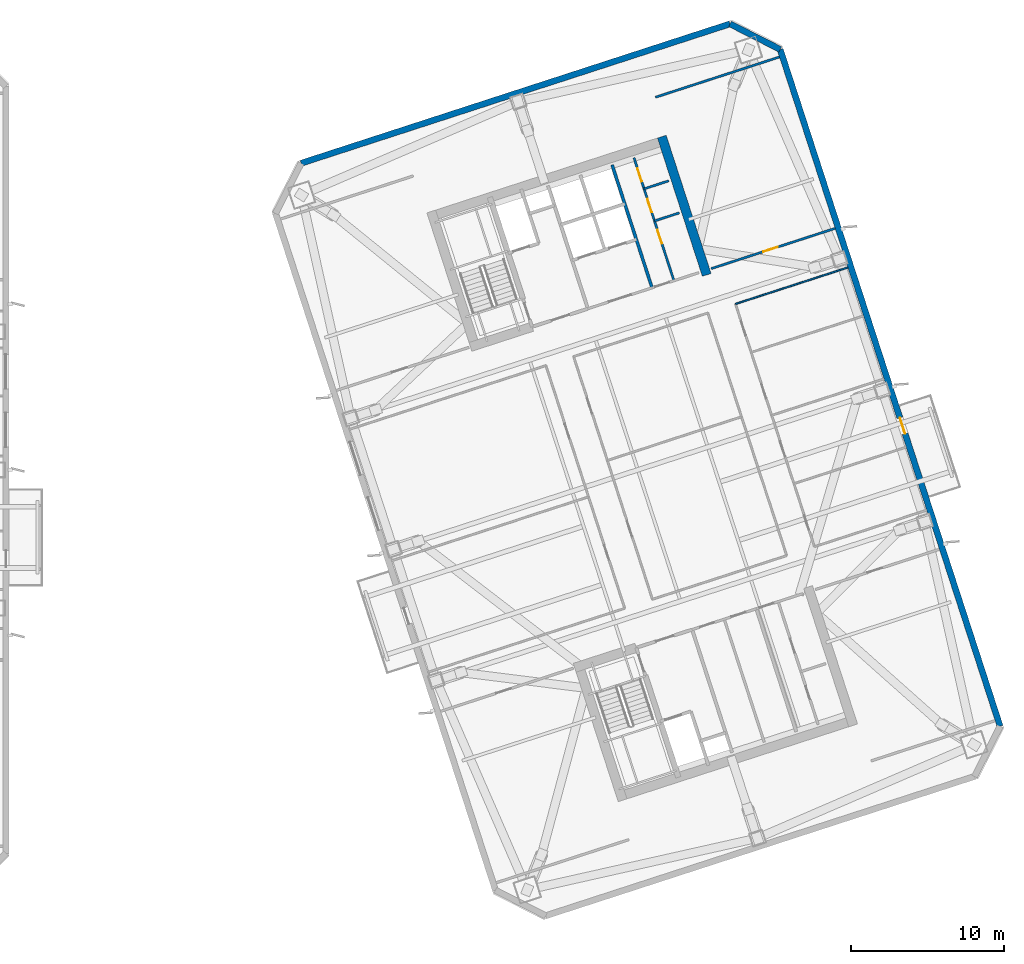
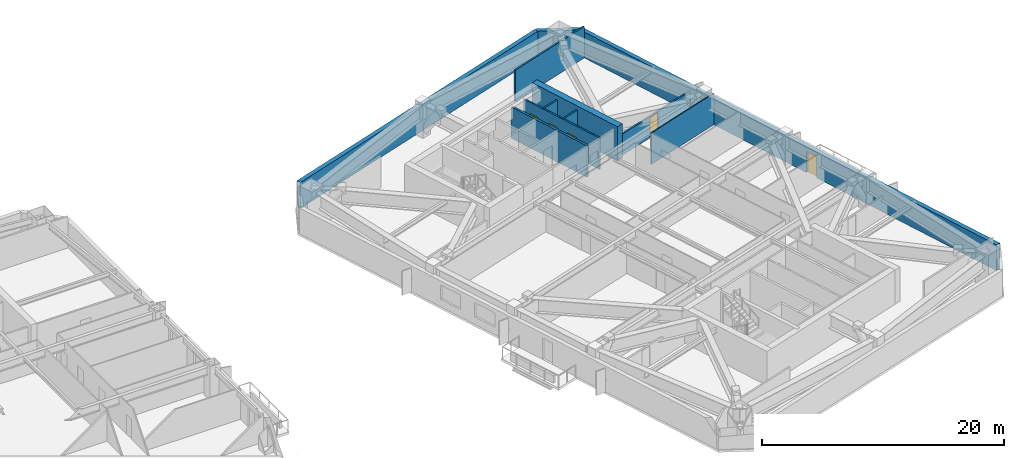
# One storey, part 10 of 17: 11 walls, 5 doors, 5 openings.
"""IFC4 building model written with IfcOpenShell, lengths in metres."""

from ifc_helpers import new_model, si_unit, direction, frame, frame_2d, origin, place, context, subcontext, project, spatial, rectangle, extrude, material, layer, layer_set, type_object, element, fill, save


model = new_model("IFC4")

# Units and contexts
model_context = context("Model", 3, precision=1e-05, world=origin(), true_north=direction((0.0, 1.0)))
body_context = subcontext(model_context, "Body", "Model", "MODEL_VIEW")
ifc_project = project(units=[si_unit("LENGTHUNIT", "METRE"), si_unit("AREAUNIT", "SQUARE_METRE"), si_unit("VOLUMEUNIT", "CUBIC_METRE"), si_unit("PLANEANGLEUNIT", "RADIAN"), si_unit("MASSUNIT", "GRAM", prefix="KILO")], contexts=[model_context])

# Site, building, storey
site_placement = place(None, origin())
site = spatial("IfcSite", under=ifc_project, at=site_placement, CompositionType="ELEMENT")
building_placement = place(site_placement, origin())
building = spatial("IfcBuilding", under=site, at=building_placement, Name="Qiaolan Cultural Towers", CompositionType="ELEMENT")
storey_placement = place(building_placement, frame((0.0, 0.0, 131.10009765625)))
storey = spatial("IfcBuildingStorey", under=building, at=storey_placement, Name="L34", CompositionType="ELEMENT", Elevation=131.10009765625)

# Walls
ifc_material_1 = material(Name="Concrete C55", Category="concrete")
ifc_layer_1 = layer(ifc_material_1, 0.60009765625)
ifc_layer_set_1 = layer_set([ifc_layer_1], Name="Concrete C55")
wall_type_1 = type_object("IfcWallType", Name="WL-CORE-600", PredefinedType="SHEAR", material=ifc_layer_set_1)
wall_1_placement = place(storey_placement, frame((94.4921875, 46.710205078125, 0.0), z_axis=(0.0, 0.0, 1.0), x_axis=(-0.309010370028, 0.95105866865, 0.0)))
element("IfcWall", 1, at=wall_1_placement, inside=storey, type_object=wall_type_1, Name="L34 T2-CN East Core Shear Wall", PredefinedType="SHEAR", context=body_context, shape_type="SweptSolid", body=[
    extrude(rectangle(XDim=9.47998046875, YDim=0.60009765625, at=frame_2d((4.739990234375, 0.0))), origin(), (0.0, 0.0, 1.0), 3.449951171875),
])
ifc_material_2 = material(Name="Precast Concrete C50 Honed Stone Pier", Category="masonry")
ifc_layer_2 = layer(ifc_material_2, 0.39990234375)
ifc_layer_set_2 = layer_set([ifc_layer_2], Name="Precast Concrete C50 Honed Stone Pier")
wall_type_2 = type_object("IfcWallType", Name="WL-EXT-PIER-400", PredefinedType="SOLIDWALL", material=ifc_layer_set_2)
wall_2_placement = place(storey_placement, frame((68.046875, 53.99462890625, 0.0), z_axis=(0.0, 0.0, 1.0), x_axis=(0.95105505922, 0.309021478754, 0.0)))
element("IfcWall", 2, at=wall_2_placement, inside=storey, type_object=wall_type_2, Name="L34 East Tower Precast Pier Facade Wall F3", PredefinedType="SOLIDWALL", context=body_context, shape_type="SweptSolid", body=[
    extrude(rectangle(XDim=29.39990234375, YDim=0.39990234375, at=frame_2d((14.699951171875, 0.0))), origin(), (0.0, 0.0, 1.0), 2.60986328125),
])
wall_3_placement = place(storey_placement, frame((96.0078125, 63.079833984375, 0.0), z_axis=(0.0, 0.0, 1.0), x_axis=(0.891001999643, -0.45399937955, 0.0)))
element("IfcWall", 3, at=wall_3_placement, inside=storey, type_object=wall_type_2, Name="L34 East Tower Precast Pier Facade Wall F4", PredefinedType="SOLIDWALL", context=body_context, shape_type="SweptSolid", body=[
    extrude(rectangle(XDim=3.67724609375, YDim=0.39990234375, at=frame_2d((1.838623046875, 0.0))), origin(), (0.0, 0.0, 1.0), 2.60986328125),
])

# Wall, opening, door
wall_4_placement = place(storey_placement, frame((99.2841796875, 61.410400390625, 0.0), z_axis=(0.0, 0.0, 1.0), x_axis=(0.309017542002, -0.95105633836, 0.0)))
wall_4 = element("IfcWall", 4, at=wall_4_placement, inside=storey, type_object=wall_type_2, Name="L34 East Tower Precast Pier Facade Wall F5", PredefinedType="SOLIDWALL", context=body_context, shape_type="SweptSolid", body=[
    extrude(rectangle(XDim=46.39990234375, YDim=0.39990234375, at=frame_2d((23.199951171875, 0.0))), origin(), (0.0, 0.0, 1.0), 2.60986328125),
])
opening_1_placement = place(wall_4_placement, frame((25.25, 0.0, 0.0)))
opening_1 = element("IfcOpeningElement", 5, at=opening_1_placement, cuts=wall_4, Name="Opening BD-01", PredefinedType="OPENING", context=body_context, shape_type="SweptSolid", body=[
    extrude(rectangle(XDim=1.10009765625, YDim=2.14990234375, at=frame_2d((0.550048828125, 1.074951171875))), frame((0.0, 0.2099609375, 0.0), z_axis=(0.0, -1.0, 0.0), x_axis=(1.0, 0.0, 0.0)), (0.0, 0.0, 1.0), 0.419921875),
])
ifc_material_3 = material(Name="Thermally Broken Aluminium Glazed Terrace Door", Category="aluminium")
door_type_1 = type_object("IfcDoorType", Name="DR-BAL-1100", OperationType="NOTDEFINED", PredefinedType="DOOR", material=ifc_material_3)
door_1_placement = place(opening_1_placement, origin())
door_1 = element("IfcDoor", 6, at=door_1_placement, inside=storey, type_object=door_type_1, Name="L34 T2 East Tree Balcony Door", OperationType="SINGLE_SWING_RIGHT", OverallHeight=2.14990234375, OverallWidth=1.10009765625, PredefinedType="DOOR", context=body_context, shape_type="SweptSolid", body=[
    extrude(rectangle(XDim=1.10009765625, YDim=2.14990234375, at=frame_2d((0.550048828125, 1.074951171875))), frame((0.0, 0.02490234375, 0.0), z_axis=(0.0, -1.0, 0.0), x_axis=(1.0, 0.0, 0.0)), (0.0, 0.0, 1.0), 0.050048828125),
])
fill(opening_1, door_1)

# Walls
ifc_material_4 = material(Name="Concrete C35 Fire Wall", Category="concrete")
ifc_layer_3 = layer(ifc_material_4, 0.199951171875)
ifc_layer_set_3 = layer_set([ifc_layer_3], Name="Concrete C35 Fire Wall")
wall_type_3 = type_object("IfcWallType", Name="WL-FIRE-200", PredefinedType="PARTITIONING", material=ifc_layer_set_3)
wall_5_placement = place(storey_placement, frame((90.92822265625, 45.86767578125, 0.0), z_axis=(0.0, 0.0, 1.0), x_axis=(-0.309042196757, 0.951048327176, 0.0)))
element("IfcWall", 7, at=wall_5_placement, inside=storey, type_object=wall_type_3, Name="L34 T2-CN Lift Core East Wall", PredefinedType="PARTITIONING", context=body_context, shape_type="SweptSolid", body=[
    extrude(rectangle(XDim=8.429931640625, YDim=0.199951171875, at=frame_2d((4.21484375, 0.0))), origin(), (0.0, 0.0, 1.0), 3.1748046875),
])
ifc_material_5 = material(Name="Acoustic Double-Glazed Partition Frame", Category="glass")
ifc_layer_4 = layer(ifc_material_5, 0.10009765625)
ifc_layer_set_4 = layer_set([ifc_layer_4], Name="Acoustic Double-Glazed Partition Frame")
wall_type_4 = type_object("IfcWallType", Name="WL-GLAZED-100", PredefinedType="MOVABLE", material=ifc_layer_set_4)
wall_6_placement = place(storey_placement, frame((96.368896484375, 44.817626953125, 0.0), z_axis=(0.0, 0.0, 1.0), x_axis=(0.9510592298, 0.30900864294, 0.0)))
element("IfcWall", 8, at=wall_6_placement, inside=storey, type_object=wall_type_4, Name="L34 T2 Interior Wall", PredefinedType="MOVABLE", context=body_context, shape_type="SweptSolid", body=[
    extrude(rectangle(XDim=7.7001953125, YDim=0.10009765625, at=frame_2d((3.85009765625, 0.0))), origin(), (0.0, 0.0, 1.0), 3.1748046875),
])

# Wall, openings, doors
ifc_material_6 = material(Name="Autoclaved Aerated Concrete Block B06", Category="concrete")
ifc_layer_5 = layer(ifc_material_6, 0.14990234375)
ifc_layer_set_5 = layer_set([ifc_layer_5], Name="Autoclaved Aerated Concrete Block B06")
wall_type_5 = type_object("IfcWallType", Name="WL-PART-150", PredefinedType="PARTITIONING", material=ifc_layer_set_5)
wall_7_placement = place(storey_placement, frame((92.354736328125, 46.3310546875, 0.0), z_axis=(0.0, 0.0, 1.0), x_axis=(-0.309007490203, 0.951059604335, 0.0)))
wall_7 = element("IfcWall", 9, at=wall_7_placement, inside=storey, type_object=wall_type_5, Name="L34 T2-CN Sanitary Vestibule Wall", PredefinedType="PARTITIONING", context=body_context, shape_type="SweptSolid", body=[
    extrude(rectangle(XDim=8.43017578125, YDim=0.14990234375, at=frame_2d((4.215087890625, 0.0))), origin(), (0.0, 0.0, 1.0), 3.1748046875),
])
opening_2_placement = place(wall_7_placement, frame((2.550048828125, 0.0, 0.0)))
opening_2 = element("IfcOpeningElement", 10, at=opening_2_placement, cuts=wall_7, Name="Opening ID-05", PredefinedType="OPENING", context=body_context, shape_type="SweptSolid", body=[
    extrude(rectangle(XDim=0.949951171875, YDim=2.050048828125, at=frame_2d((0.47509765625, 1.02490234375))), frame((0.0, 0.0849609375, 0.0), z_axis=(0.0, -1.0, 0.0), x_axis=(1.0, 0.0, 0.0)), (0.0, 0.0, 1.0), 0.169921875),
])
opening_3_placement = place(wall_7_placement, frame((4.699951171875, 0.0, 0.0)))
opening_3 = element("IfcOpeningElement", 11, at=opening_3_placement, cuts=wall_7, Name="Opening ID-06", PredefinedType="OPENING", context=body_context, shape_type="SweptSolid", body=[
    extrude(rectangle(XDim=0.89990234375, YDim=2.050048828125, at=frame_2d((0.449951171875, 1.02490234375))), frame((0.0, 0.0849609375, 0.0), z_axis=(0.0, -1.0, 0.0), x_axis=(1.0, 0.0, 0.0)), (0.0, 0.0, 1.0), 0.169921875),
])
opening_4_placement = place(wall_7_placement, frame((6.800048828125, 0.0, 0.0)))
opening_4 = element("IfcOpeningElement", 12, at=opening_4_placement, cuts=wall_7, Name="Opening ID-06", PredefinedType="OPENING", context=body_context, shape_type="SweptSolid", body=[
    extrude(rectangle(XDim=0.89990234375, YDim=2.050048828125, at=frame_2d((0.449951171875, 1.02490234375))), frame((0.0, 0.0849609375, 0.0), z_axis=(0.0, -1.0, 0.0), x_axis=(1.0, 0.0, 0.0)), (0.0, 0.0, 1.0), 0.169921875),
])
ifc_material_7 = material(Name="Fire-Rated Laminate Core Service Door", Category="timber")
door_type_2 = type_object("IfcDoorType", Name="DR-INT-900", OperationType="NOTDEFINED", PredefinedType="DOOR", material=ifc_material_7)
door_2_placement = place(opening_3_placement, origin())
door_2 = element("IfcDoor", 13, at=door_2_placement, inside=storey, type_object=door_type_2, Name="L34 Men Washroom Door", OperationType="SINGLE_SWING_LEFT", OverallHeight=2.050048828125, OverallWidth=0.89990234375, PredefinedType="DOOR", context=body_context, shape_type="SweptSolid", body=[
    extrude(rectangle(XDim=0.89990234375, YDim=2.050048828125, at=frame_2d((0.449951171875, 1.02490234375))), frame((0.0, 0.02490234375, 0.0), z_axis=(0.0, -1.0, 0.0), x_axis=(1.0, 0.0, 0.0)), (0.0, 0.0, 1.0), 0.050048828125),
])
fill(opening_3, door_2)
door_3_placement = place(opening_4_placement, origin())
door_3 = element("IfcDoor", 14, at=door_3_placement, inside=storey, type_object=door_type_2, Name="L34 Women Washroom Door", OperationType="SINGLE_SWING_RIGHT", OverallHeight=2.050048828125, OverallWidth=0.89990234375, PredefinedType="DOOR", context=body_context, shape_type="SweptSolid", body=[
    extrude(rectangle(XDim=0.89990234375, YDim=2.050048828125, at=frame_2d((0.449951171875, 1.02490234375))), frame((0.0, 0.02490234375, 0.0), z_axis=(0.0, -1.0, 0.0), x_axis=(1.0, 0.0, 0.0)), (0.0, 0.0, 1.0), 0.050048828125),
])
fill(opening_4, door_3)
ifc_material_8 = material(Name="Fire-Rated Laminate Accessible Core Door", Category="timber")
door_type_3 = type_object("IfcDoorType", Name="DR-INT-950", OperationType="NOTDEFINED", PredefinedType="DOOR", material=ifc_material_8)
door_4_placement = place(opening_2_placement, origin())
door_4 = element("IfcDoor", 15, at=door_4_placement, inside=storey, type_object=door_type_3, Name="L34 Accessible Family Washroom Door", OperationType="SINGLE_SWING_LEFT", OverallHeight=2.050048828125, OverallWidth=0.949951171875, PredefinedType="DOOR", context=body_context, shape_type="SweptSolid", body=[
    extrude(rectangle(XDim=0.949951171875, YDim=2.050048828125, at=frame_2d((0.47509765625, 1.02490234375))), frame((0.0, 0.02490234375, 0.0), z_axis=(0.0, -1.0, 0.0), x_axis=(1.0, 0.0, 0.0)), (0.0, 0.0, 1.0), 0.050048828125),
])
fill(opening_2, door_4)

# Walls
wall_8_placement = place(storey_placement, frame((91.087646484375, 50.23046875, 0.0), z_axis=(0.0, 0.0, 1.0), x_axis=(0.951054116971, 0.309024378638, 0.0)))
element("IfcWall", 16, at=wall_8_placement, inside=storey, type_object=wall_type_5, Name="L34 T2-CN Restroom Split Wall 1", PredefinedType="PARTITIONING", context=body_context, shape_type="SweptSolid", body=[
    extrude(rectangle(XDim=1.7001953125, YDim=0.14990234375, at=frame_2d((0.85009765625, 0.0))), origin(), (0.0, 0.0, 1.0), 3.1748046875),
])
wall_9_placement = place(storey_placement, frame((90.407958984375, 52.32275390625, 0.0), z_axis=(0.0, 0.0, 1.0), x_axis=(0.951040401051, 0.309066587596, 0.0)))
element("IfcWall", 17, at=wall_9_placement, inside=storey, type_object=wall_type_5, Name="L34 T2-CN Restroom Split Wall 2", PredefinedType="PARTITIONING", context=body_context, shape_type="SweptSolid", body=[
    extrude(rectangle(XDim=1.699951171875, YDim=0.14990234375, at=frame_2d((0.85009765625, 0.0))), origin(), (0.0, 0.0, 1.0), 3.1748046875),
])
wall_10_placement = place(storey_placement, frame((91.14892578125, 58.294189453125, 0.0), z_axis=(0.0, 0.0, 1.0), x_axis=(0.951062770994, 0.308997743729, 0.0)))
element("IfcWall", 18, at=wall_10_placement, inside=storey, type_object=wall_type_5, Name="L34 T2 Flank Wall FLK-NE", PredefinedType="PARTITIONING", context=body_context, shape_type="SweptSolid", body=[
    extrude(rectangle(XDim=8.5, YDim=0.14990234375, at=frame_2d((4.25, 0.0))), origin(), (0.0, 0.0, 1.0), 3.1748046875),
])

# Wall, opening, door
wall_11_placement = place(storey_placement, frame((94.77978515625, 47.119140625, 0.0), z_axis=(0.0, 0.0, 1.0), x_axis=(0.951054329824, 0.309023723562, 0.0)))
wall_11 = element("IfcWall", 19, at=wall_11_placement, inside=storey, type_object=wall_type_5, Name="L34 T2 Flank Front FLK-NE", PredefinedType="PARTITIONING", context=body_context, shape_type="SweptSolid", body=[
    extrude(rectangle(XDim=8.5, YDim=0.14990234375, at=frame_2d((4.25, 0.0))), origin(), (0.0, 0.0, 1.0), 2.14990234375),
])
opening_5_placement = place(wall_11_placement, frame((3.570068359375, 0.0, 0.0)))
opening_5 = element("IfcOpeningElement", 20, at=opening_5_placement, cuts=wall_11, Name="Opening ID-04", PredefinedType="OPENING", context=body_context, shape_type="SweptSolid", body=[
    extrude(rectangle(XDim=1.0, YDim=2.050048828125, at=frame_2d((0.5, 1.02490234375))), frame((0.0, 0.0849609375, 0.0), z_axis=(0.0, -1.0, 0.0), x_axis=(1.0, 0.0, 0.0)), (0.0, 0.0, 1.0), 0.169921875),
])
ifc_material_9 = material(Name="Oak Veneer Acoustic Office Door", Category="timber")
door_type_4 = type_object("IfcDoorType", Name="DR-INT-1000", OperationType="NOTDEFINED", PredefinedType="DOOR", material=ifc_material_9)
door_5_placement = place(opening_5_placement, origin())
door_5 = element("IfcDoor", 21, at=door_5_placement, inside=storey, type_object=door_type_4, Name="L34 T2 Corner Studio Door", OperationType="SINGLE_SWING_LEFT", OverallHeight=2.050048828125, OverallWidth=1.0, PredefinedType="DOOR", context=body_context, shape_type="SweptSolid", body=[
    extrude(rectangle(XDim=1.0, YDim=2.050048828125, at=frame_2d((0.5, 1.02490234375))), frame((0.0, 0.02490234375, 0.0), z_axis=(0.0, -1.0, 0.0), x_axis=(1.0, 0.0, 0.0)), (0.0, 0.0, 1.0), 0.050048828125),
])
fill(opening_5, door_5)

save(model, "model.ifc")
